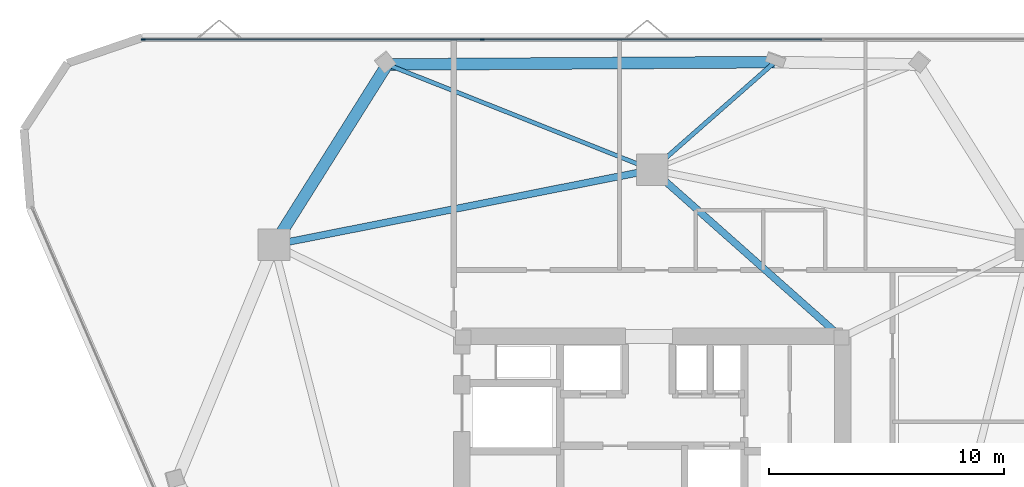
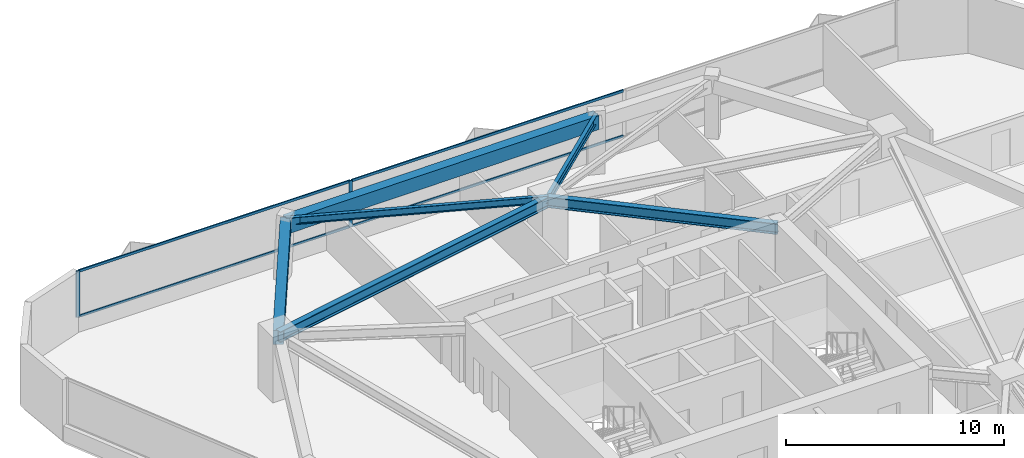
# One storey, part 6 of 12: 6 beams, 6 members, 1 element without a shape of its own.
"""IFC4 building model written with IfcOpenShell, lengths in metres."""

from ifc_helpers import new_model, si_unit, direction, frame, origin, origin_2d, place, context, subcontext, project, spatial, rectangle, i_section, extrude, material, layer, layer_set, material_profile, profile_set, type_object, element, aggregate, save


model = new_model("IFC4")

# Units and contexts
model_context = context("Model", 3, precision=1e-05, world=origin(), true_north=direction((0.0, 1.0)))
body_context = subcontext(model_context, "Body", "Model", "MODEL_VIEW")
ifc_project = project(units=[si_unit("LENGTHUNIT", "METRE"), si_unit("AREAUNIT", "SQUARE_METRE"), si_unit("VOLUMEUNIT", "CUBIC_METRE"), si_unit("PLANEANGLEUNIT", "RADIAN"), si_unit("MASSUNIT", "GRAM", prefix="KILO")], contexts=[model_context])

# Site, building, storey
site_placement = place(None, origin())
site = spatial("IfcSite", under=ifc_project, at=site_placement, CompositionType="ELEMENT")
building_placement = place(site_placement, origin())
building = spatial("IfcBuilding", under=site, at=building_placement, Name="Talyreon Biosciences Tower", CompositionType="ELEMENT")
storey_placement = place(building_placement, frame((0.0, 0.0, 179.39990234375)))
storey = spatial("IfcBuildingStorey", under=building, at=storey_placement, Name="L47", CompositionType="ELEMENT", Elevation=179.39990234375)

# Curtain wall, members
ifc_material_1 = material(Name="Thermally broken aluminium and low-E glazing", Category="aluminium")
ifc_layer = layer(ifc_material_1, 0.179931640625)
ifc_layer_set = layer_set([ifc_layer], Name="Thermally broken aluminium and low-E glazing")
curtain_wall_type = type_object("IfcCurtainWallType", Name="CurtainWall_Zone4Optical", PredefinedType="NOTDEFINED", material=ifc_layer_set)
curtain_wall_placement = place(storey_placement, origin())
curtain_wall = element("IfcCurtainWall", 1, at=curtain_wall_placement, inside=storey, type_object=curtain_wall_type, Name="L47 Unitised Curtain Wall FCW-L47-04", PredefinedType="NOTDEFINED")
ifc_material_2 = material(Name="Anodised thermally broken aluminium", Category="aluminium")
ifc_material_profile_1 = material_profile(ifc_material_2, rectangle(XDim=0.06494140625, YDim=0.179931640625, at=origin_2d()), Name="ALUM MULLION 65x180")
ifc_profile_set_1 = profile_set([ifc_material_profile_1], Name="Anodised thermally broken aluminium")
member_type_1 = type_object("IfcMemberType", Name="CWMullion_65x180", PredefinedType="MULLION", material=ifc_profile_set_1)
member_1_placement = place(storey_placement, frame((44.336181640625, 87.3388671875, 0.81005859375), z_axis=(0.0, 0.0, 1.0), x_axis=(0.0, 1.0, 0.0)))
member_1 = element("IfcMember", 2, at=member_1_placement, type_object=member_type_1, Name="CW5 mullion 1", PredefinedType="MULLION", context=body_context, shape_type="SweptSolid", body=[
    extrude(rectangle(XDim=0.06494140625, YDim=0.179931640625, at=origin_2d()), origin(), (0.0, 0.0, 1.0), 2.590087890625),
])
member_2_placement = place(storey_placement, frame((58.767822265625, 87.3388671875, 0.81005859375), z_axis=(0.0, 0.0, 1.0), x_axis=(0.0, 1.0, 0.0)))
member_2 = element("IfcMember", 3, at=member_2_placement, type_object=member_type_1, Name="CW5 mullion 2", PredefinedType="MULLION", context=body_context, shape_type="SweptSolid", body=[
    extrude(rectangle(XDim=0.06494140625, YDim=0.179931640625, at=origin_2d()), origin(), (0.0, 0.0, 1.0), 2.590087890625),
])
ifc_material_profile_2 = material_profile(ifc_material_2, rectangle(XDim=0.06494140625, YDim=0.139892578125, at=origin_2d()), Name="ALUM TRANSOM 65x140")
ifc_profile_set_2 = profile_set([ifc_material_profile_2], Name="Anodised thermally broken aluminium")
member_type_2 = type_object("IfcMemberType", Name="CWTransom_65x140", PredefinedType="USERDEFINED", material=ifc_profile_set_2)
member_3_placement = place(storey_placement, frame((44.368896484375, 87.3388671875, 0.842529296875), z_axis=(1.0, 0.0, 0.0), x_axis=(0.0, 1.0, 0.0)))
member_3 = element("IfcMember", 4, at=member_3_placement, type_object=member_type_2, Name="CW5 transom 1.1", ObjectType="TRANSOM", PredefinedType="USERDEFINED", context=body_context, shape_type="SweptSolid", body=[
    extrude(rectangle(XDim=0.06494140625, YDim=0.139892578125, at=origin_2d()), origin(), (0.0, 0.0, 1.0), 14.366455078125),
])
member_4_placement = place(storey_placement, frame((44.368896484375, 87.3388671875, 3.36767578125), z_axis=(1.0, 0.0, 0.0), x_axis=(0.0, 1.0, 0.0)))
member_4 = element("IfcMember", 5, at=member_4_placement, type_object=member_type_2, Name="CW5 transom 1.2", ObjectType="TRANSOM", PredefinedType="USERDEFINED", context=body_context, shape_type="SweptSolid", body=[
    extrude(rectangle(XDim=0.06494140625, YDim=0.139892578125, at=origin_2d()), origin(), (0.0, 0.0, 1.0), 14.366455078125),
])
member_5_placement = place(storey_placement, frame((58.800537109375, 87.3388671875, 0.842529296875), z_axis=(1.0, 0.0, 0.0), x_axis=(0.0, 1.0, 0.0)))
member_5 = element("IfcMember", 6, at=member_5_placement, type_object=member_type_2, Name="CW5 transom 2.1", ObjectType="TRANSOM", PredefinedType="USERDEFINED", context=body_context, shape_type="SweptSolid", body=[
    extrude(rectangle(XDim=0.06494140625, YDim=0.139892578125, at=origin_2d()), origin(), (0.0, 0.0, 1.0), 14.39892578125),
])
member_6_placement = place(storey_placement, frame((58.800537109375, 87.3388671875, 3.36767578125), z_axis=(1.0, 0.0, 0.0), x_axis=(0.0, 1.0, 0.0)))
member_6 = element("IfcMember", 7, at=member_6_placement, type_object=member_type_2, Name="CW5 transom 2.2", ObjectType="TRANSOM", PredefinedType="USERDEFINED", context=body_context, shape_type="SweptSolid", body=[
    extrude(rectangle(XDim=0.06494140625, YDim=0.139892578125, at=origin_2d()), origin(), (0.0, 0.0, 1.0), 14.39892578125),
])
aggregate(curtain_wall, [member_1, member_2, member_3, member_4, member_5, member_6])

# Beams
ifc_material_3 = material(Name="Precast concrete C45/55", Category="concrete")
ifc_material_profile_3 = material_profile(ifc_material_3, rectangle(XDim=0.5, YDim=0.780029296875, at=origin_2d()), Name="RCB 500x780")
ifc_profile_set_3 = profile_set([ifc_material_profile_3], Name="Precast concrete C45/55")
beam_type_1 = type_object("IfcBeamType", Name="ExpressedSpandrel_500x780", PredefinedType="SPANDREL", material=ifc_profile_set_3)
beam_1_placement = place(storey_placement, frame((71.20703125, 86.368896484375, 3.010009765625), z_axis=(-0.99998157462, -0.006070454783, 0.0), x_axis=(0.006070454783, -0.99998157462, 0.0)))
element("IfcBeam", 8, at=beam_1_placement, inside=storey, type_object=beam_type_1, Name="L47 Expressed Horizontal Concrete Spandrel 07", PredefinedType="SPANDREL", context=body_context, shape_type="SweptSolid", body=[
    extrude(rectangle(XDim=0.5, YDim=0.780029296875, at=origin_2d()), origin(), (0.0, 0.0, 1.0), 16.4892578125),
])
beam_2_placement = place(storey_placement, frame((54.718017578125, 86.268798828125, 3.010009765625), z_axis=(-0.532097584887, -0.846683034056, 0.0), x_axis=(0.846683034056, -0.532097584887, 0.0)))
element("IfcBeam", 9, at=beam_2_placement, inside=storey, type_object=beam_type_1, Name="L47 Expressed Horizontal Concrete Spandrel 08", PredefinedType="SPANDREL", context=body_context, shape_type="SweptSolid", body=[
    extrude(rectangle(XDim=0.5, YDim=0.780029296875, at=origin_2d()), origin(), (0.0, 0.0, 1.0), 9.05908203125),
])
ifc_material_4 = material(Name="Steel SM355", Category="steel")
ifc_material_profile_4 = material_profile(ifc_material_4, i_section(OverallWidth=0.300048828125, OverallDepth=0.60009765625, WebThickness=0.015380859375, FlangeThickness=0.030029296875, FilletRadius=0.027099609375, at=origin_2d()), Name="HE600B")
ifc_profile_set_4 = profile_set([ifc_material_profile_4], Name="Steel SM355")
beam_type_2 = type_object("IfcBeamType", Name="SteelBeam_HE600B", PredefinedType="BEAM", material=ifc_profile_set_4)
beam_3_placement = place(storey_placement, frame((66.0, 81.788818359375, 3.10009765625), z_axis=(-0.980933730698, -0.194342522311, 0.0), x_axis=(0.194342522311, -0.980933730698, 0.0)))
element("IfcBeam", 10, at=beam_3_placement, inside=storey, type_object=beam_type_2, Name="L47 Mega-Ring Girder 4", PredefinedType="BEAM", context=body_context, shape_type="SweptSolid", body=[
    extrude(i_section(OverallWidth=0.300048828125, OverallDepth=0.60009765625, WebThickness=0.015380859375, FlangeThickness=0.030029296875, FilletRadius=0.027099609375, at=origin_2d()), origin(), (0.0, 0.0, 1.0), 16.415283203125),
])
beam_4_placement = place(storey_placement, frame((74.050048828125, 74.64990234375, 3.10009765625), z_axis=(-0.748178733955, 0.663497235908, 0.0), x_axis=(-0.663497235908, -0.748178733955, 0.0)))
element("IfcBeam", 11, at=beam_4_placement, inside=storey, type_object=beam_type_2, Name="L47 Radial Primary Girder 4", PredefinedType="BEAM", context=body_context, shape_type="SweptSolid", body=[
    extrude(i_section(OverallWidth=0.300048828125, OverallDepth=0.60009765625, WebThickness=0.015380859375, FlangeThickness=0.030029296875, FilletRadius=0.027099609375, at=origin_2d()), origin(), (0.0, 0.0, 1.0), 10.759521484375),
])
ifc_material_profile_5 = material_profile(ifc_material_4, i_section(OverallWidth=0.179931640625, OverallDepth=0.39990234375, WebThickness=0.008544921875, FlangeThickness=0.013427734375, FilletRadius=0.02099609375, at=origin_2d()), Name="IPE400")
ifc_profile_set_5 = profile_set([ifc_material_profile_5], Name="Steel SM355")
beam_type_3 = type_object("IfcBeamType", Name="SteelJoist_IPE400", PredefinedType="JOIST", material=ifc_profile_set_5)
beam_5_placement = place(storey_placement, frame((66.0, 81.788818359375, 3.2001953125), z_axis=(-0.929405864151, 0.369059263101, 0.0), x_axis=(-0.369059263101, -0.929405864151, 0.0)))
element("IfcBeam", 12, at=beam_5_placement, inside=storey, type_object=beam_type_3, Name="L47 Radial Composite Floor Joist PC-N2", PredefinedType="JOIST", context=body_context, shape_type="SweptSolid", body=[
    extrude(i_section(OverallWidth=0.179931640625, OverallDepth=0.39990234375, WebThickness=0.008544921875, FlangeThickness=0.013427734375, FilletRadius=0.02099609375, at=origin_2d()), origin(), (0.0, 0.0, 1.0), 12.138916015625),
])
ifc_material_profile_6 = material_profile(ifc_material_4, i_section(OverallWidth=0.18994140625, OverallDepth=0.449951171875, WebThickness=0.009521484375, FlangeThickness=0.0146484375, FilletRadius=0.02099609375, at=origin_2d()), Name="IPE450")
ifc_profile_set_6 = profile_set([ifc_material_profile_6], Name="Steel SM355")
beam_type_4 = type_object("IfcBeamType", Name="SteelJoist_IPE450", PredefinedType="JOIST", material=ifc_profile_set_6)
beam_6_placement = place(storey_placement, frame((66.0, 81.788818359375, 3.175048828125), z_axis=(0.750864351145, 0.660456452902, 0.0), x_axis=(-0.660456452902, 0.750864351145, 0.0)))
element("IfcBeam", 13, at=beam_6_placement, inside=storey, type_object=beam_type_4, Name="L47 Radial Composite Floor Joist PL-N", PredefinedType="JOIST", context=body_context, shape_type="SweptSolid", body=[
    extrude(i_section(OverallWidth=0.18994140625, OverallDepth=0.449951171875, WebThickness=0.009521484375, FlangeThickness=0.0146484375, FilletRadius=0.02099609375, at=origin_2d()), origin(), (0.0, 0.0, 1.0), 6.934814453125),
])

save(model, "model.ifc")
